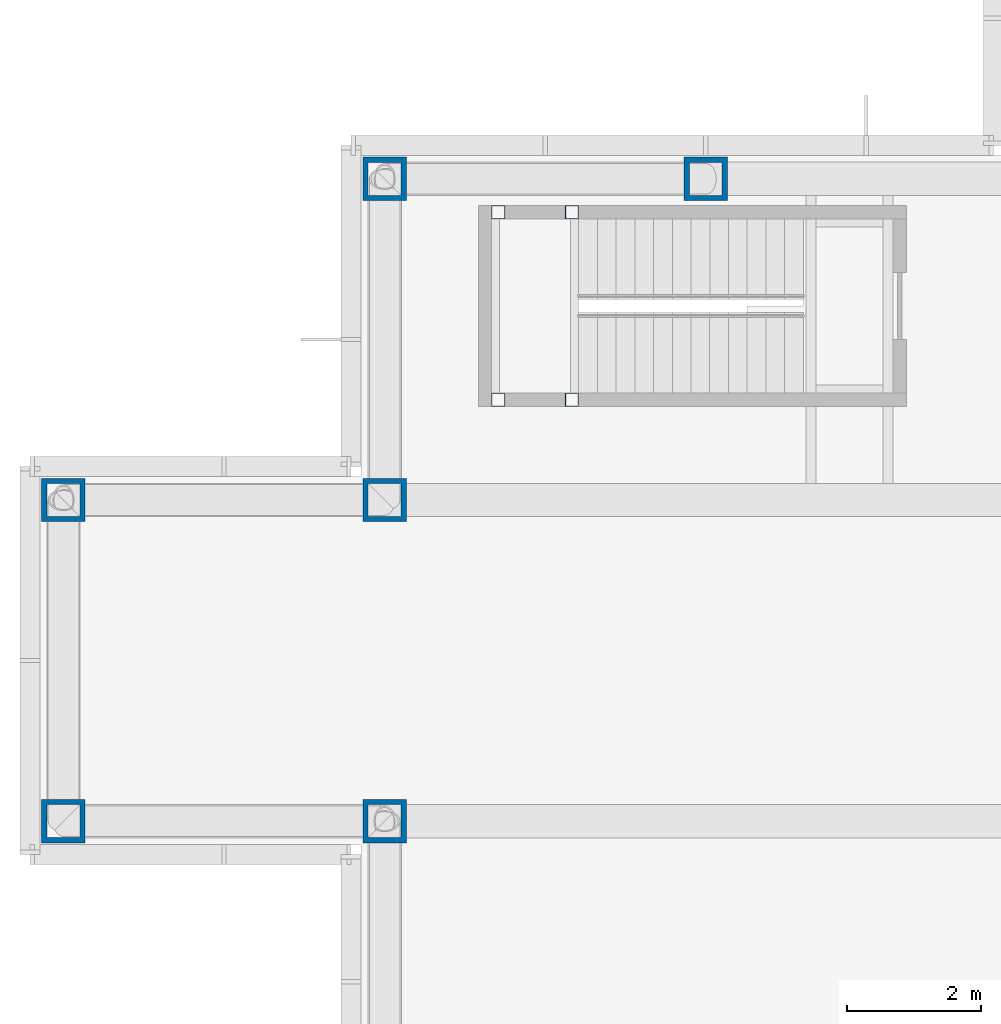
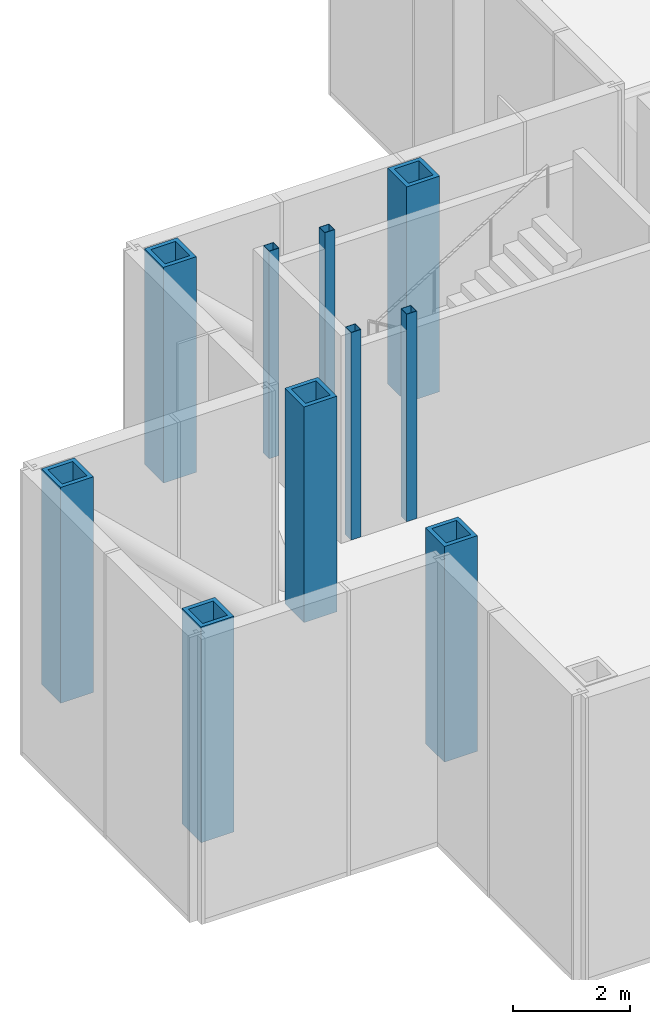
# One storey, part 3 of 13: 10 columns.
"""IFC4 building model written with IfcOpenShell, lengths in metres."""

from ifc_helpers import new_model, si_unit, direction, frame, origin, origin_2d, place, context, subcontext, project, spatial, hollow_rectangle, extrude, material, material_profile, profile_set, type_object, element, save


model = new_model("IFC4")

# Units and contexts
model_context = context("Model", 3, precision=1e-05, world=origin(), true_north=direction((0.0, 1.0)))
body_context = subcontext(model_context, "Body", "Model", "MODEL_VIEW")
ifc_project = project(units=[si_unit("LENGTHUNIT", "METRE"), si_unit("AREAUNIT", "SQUARE_METRE"), si_unit("VOLUMEUNIT", "CUBIC_METRE"), si_unit("PLANEANGLEUNIT", "RADIAN"), si_unit("MASSUNIT", "GRAM", prefix="KILO")], contexts=[model_context])

# Site, building, storey
site_placement = place(None, origin())
site = spatial("IfcSite", under=ifc_project, at=site_placement, CompositionType="ELEMENT")
building_placement = place(site_placement, origin())
building = spatial("IfcBuilding", under=site, at=building_placement, Name="Kvirike Care Tower", CompositionType="ELEMENT")
storey_placement = place(building_placement, frame((0.0, 0.0, 190.0)))
storey = spatial("IfcBuildingStorey", under=building, at=storey_placement, Name="L52", CompositionType="ELEMENT", Elevation=190.0)

# Columns
ifc_material_1 = material(Name="Steel S460", Category="steel")
ifc_material_profile_1 = material_profile(ifc_material_1, hollow_rectangle(XDim=0.64990234375, YDim=0.64990234375, WallThickness=0.080078125, at=origin_2d()), Name="BX 650x650x80")
ifc_profile_set_1 = profile_set([ifc_material_profile_1], Name="Steel S460")
column_type_1 = type_object("IfcColumnType", Name="COLUMN BX 650x650x80", PredefinedType="COLUMN", material=ifc_profile_set_1)
for number, where, z_axis, x_axis, name in (
    (1, (0.0, 33.60009765625, 0.0), (0.0, 0.0, 1.0), (0.0, 1.0, 0.0), "Column H3 L52"),
    (2, (0.0, 38.39990234375, 0.0), (0.0, 0.0, 1.0), (0.0, 1.0, 0.0), "Column J3 L52"),
    (3, (4.800048828125, 33.60009765625, 0.0), (0.0, 0.0, 1.0), (0.0, 1.0, 0.0), "Column H4 L52"),
    (4, (4.800048828125, 38.39990234375, 0.0), (0.0, 0.0, 1.0), (0.0, 1.0, 0.0), "Column J4 L52"),
    (5, (4.800048828125, 43.199951171875, 0.0), (0.0, 0.0, 1.0), (0.0, 1.0, 0.0), "Column K4 L52"),
    (6, (9.60009765625, 43.199951171875, 0.0), (0.0, 0.0, 1.0), (0.0, 1.0, 0.0), "Column K5 L52"),
):
    element("IfcColumn", number, at=place(storey_placement, frame(where, z_axis=z_axis, x_axis=x_axis)), inside=storey, type_object=column_type_1, Name=name, PredefinedType="COLUMN", context=body_context, shape_type="SweptSolid", body=[
        extrude(hollow_rectangle(XDim=0.64990234375, YDim=0.64990234375, WallThickness=0.080078125, at=origin_2d()), origin(), (0.0, 0.0, 1.0), 4.5),
    ])
ifc_material_2 = material(Name="Steel S460", Category="steel")
ifc_material_profile_2 = material_profile(ifc_material_2, hollow_rectangle(XDim=0.199951171875, YDim=0.199951171875, WallThickness=0.008056640625, at=origin_2d()), Name="SHS 200x200x8")
ifc_profile_set_2 = profile_set([ifc_material_profile_2], Name="Steel S460")
column_type_2 = type_object("IfcColumnType", Name="STAIR POST SHS 200x200x8", PredefinedType="COLUMN", material=ifc_profile_set_2)
for number, where, z_axis, x_axis, name in (
    (7, (6.5, 42.699951171875, 0.0), (0.0, 0.0, 1.0), (1.0, 0.0, 0.0), "Stair 1 post 1 L52"),
    (8, (6.5, 39.89990234375, 0.0), (0.0, 0.0, 1.0), (1.0, 0.0, 0.0), "Stair 1 post 2 L52"),
    (9, (7.60009765625, 42.699951171875, 0.0), (0.0, 0.0, 1.0), (1.0, 0.0, 0.0), "Stair 1 post 3 L52"),
    (10, (7.60009765625, 39.89990234375, 0.0), (0.0, 0.0, 1.0), (1.0, 0.0, 0.0), "Stair 1 post 4 L52"),
):
    element("IfcColumn", number, at=place(storey_placement, frame(where, z_axis=z_axis, x_axis=x_axis)), inside=storey, type_object=column_type_2, Name=name, PredefinedType="COLUMN", context=body_context, shape_type="SweptSolid", body=[
        extrude(hollow_rectangle(XDim=0.199951171875, YDim=0.199951171875, WallThickness=0.008056640625, at=origin_2d()), origin(), (0.0, 0.0, 1.0), 4.330078125),
    ])

save(model, "model.ifc")
